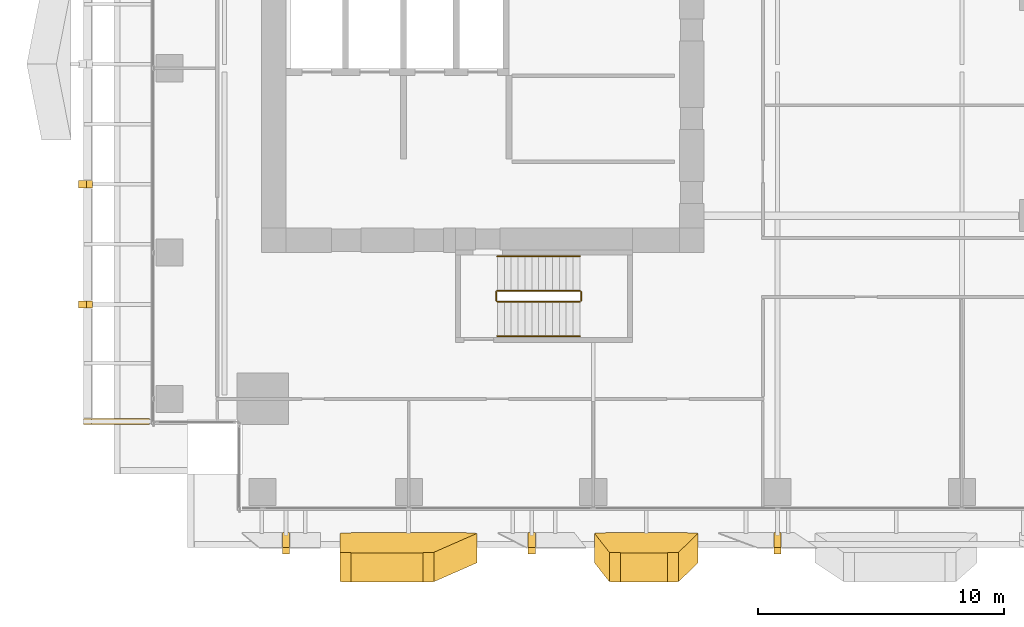
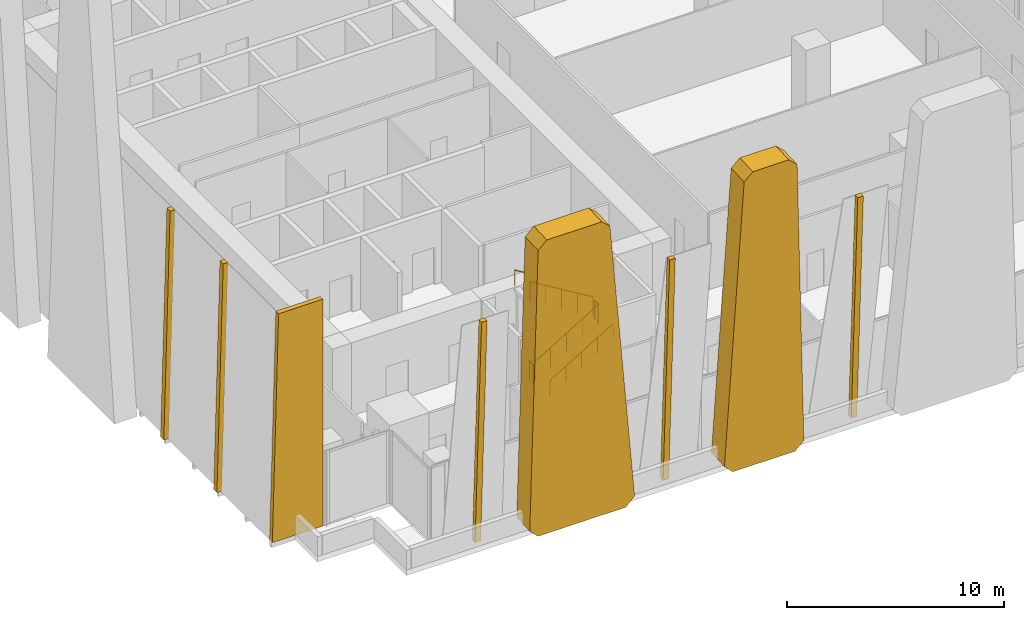
# One storey, part 33 of 37: 8 coverings, 6 railings.
"""IFC4 building model written with IfcOpenShell, lengths in metres."""

from ifc_helpers import new_model, si_unit, direction, frame, origin, origin_2d, place, context, subcontext, project, spatial, polyline, circle, outline, extrude, source, transform, mapped, material, layer, layer_set, type_object, element, save


model = new_model("IFC4")

# Units and contexts
model_context = context("Model", 3, precision=1e-05, world=origin(), true_north=direction((0.0, 1.0)))
body_context = subcontext(model_context, "Body", "Model", "MODEL_VIEW")
ifc_project = project(units=[si_unit("LENGTHUNIT", "METRE"), si_unit("AREAUNIT", "SQUARE_METRE"), si_unit("VOLUMEUNIT", "CUBIC_METRE"), si_unit("PLANEANGLEUNIT", "RADIAN"), si_unit("MASSUNIT", "GRAM", prefix="KILO")], contexts=[model_context])

# Site, building, storey
site_placement = place(None, origin())
site = spatial("IfcSite", under=ifc_project, at=site_placement, CompositionType="ELEMENT")
building_placement = place(site_placement, origin())
building = spatial("IfcBuilding", under=site, at=building_placement, Name="Khomas Fold Tower", CompositionType="ELEMENT")
storey_placement = place(building_placement, frame((0.0, 0.0, 101.5)))
storey = spatial("IfcBuildingStorey", under=building, at=storey_placement, Name="L21", CompositionType="ELEMENT", Elevation=101.5)

# Coverings
ifc_material_1 = material(Name="Natural stone cladding", Category="masonry")
ifc_layer_1 = layer(ifc_material_1, 0.25)
ifc_layer_set_1 = layer_set([ifc_layer_1], Name="Natural stone cladding")
covering_type_1 = type_object("IfcCoveringType", Name="SK-Karibib marble stone mullion", PredefinedType="CLADDING", material=ifc_layer_set_1)
for number, where, z_axis, x_axis, name in (
    (1, (6.85009765625, 0.60009765625, 0.0), (0.0, 0.998875266546, 0.047415207295), (0.0, -0.047415207295, 0.998875266546), "OUTER SKIN mullion L21 SM099-2"),
    (2, (16.85009765625, 0.60009765625, 0.0), (0.0, 0.998875266546, 0.047415207295), (0.0, -0.047415207295, 0.998875266546), "OUTER SKIN mullion L21 SM101-5"),
    (3, (26.85009765625, 0.60009765625, 0.0), (0.0, 0.998875266546, 0.047415207295), (0.0, -0.047415207295, 0.998875266546), "OUTER SKIN mullion L21 SM103-8"),
):
    element("IfcCovering", number, at=place(storey_placement, frame(where, z_axis=z_axis, x_axis=x_axis)), inside=storey, type_object=covering_type_1, Name=name, PredefinedType="CLADDING", context=body_context, shape_type="SweptSolid", body=[
        extrude(outline(polyline([(0.0, 0.0), (12.764356498773964, 0.0), (12.764356498773964, 0.2998046875), (0.0, 0.2998046875), (0.0, 0.0)])), origin(), (0.0, 0.0, -1.0), 0.25),
    ])
for number, where, z_axis, x_axis, name in (
    (4, (-1.449951171875, 9.73876953125, 0.006591796875), (-0.9996570913, 0.0, 0.026185870498), (0.0, 1.0, 0.0), "OUTER SKIN mullion L21 W2"),
    (5, (-1.449951171875, 14.627685546875, 0.006591796875), (-0.9996570913, 0.0, 0.026185870498), (0.0, 1.0, 0.0), "OUTER SKIN mullion L21 W4"),
):
    element("IfcCovering", number, at=place(storey_placement, frame(where, z_axis=z_axis, x_axis=x_axis)), inside=storey, type_object=covering_type_1, Name=name, PredefinedType="CLADDING", context=body_context, shape_type="SweptSolid", body=[
        extrude(outline(polyline([(0.0, 0.0), (0.300048828125, 0.0), (0.300048828125, -12.754373585666375), (0.0, -12.754373585666375), (0.0, 0.0)])), origin(), (0.0, 0.0, -1.0), 0.25),
    ])
covering_1_placement = place(storey_placement, frame((1.449951171875, 5.0, 12.75), z_axis=(0.0, -1.0, 0.0), x_axis=(-1.0, 0.0, 0.0)))
element("IfcCovering", 6, at=covering_1_placement, inside=storey, type_object=covering_type_1, Name="OUTER SKIN return L21 W1", PredefinedType="CLADDING", context=body_context, shape_type="SweptSolid", body=[
    extrude(outline(polyline([(0.0, 0.0), (2.356201171875, 0.0), (2.68994140625, 12.75), (0.0, 12.75), (0.0, 0.0)])), origin(), (0.0, 0.0, -1.0), 0.25),
])
ifc_material_2 = material(Name="Natural stone cladding", Category="masonry")
ifc_layer_2 = layer(ifc_material_2, 1.199951171875)
ifc_layer_set_2 = layer_set([ifc_layer_2], Name="Natural stone cladding")
covering_type_2 = type_object("IfcCoveringType", Name="SK-Karibib marble stone panel", PredefinedType="CLADDING", material=ifc_layer_set_2)
covering_2_placement = place(storey_placement, frame((13.017333984375, -0.195068359375, 16.748291015625), z_axis=(5.064789e-06, 0.998874923051, 0.04742244273), x_axis=(0.107352346591, 0.047147847161, -0.993102489268)))
element("IfcCovering", 7, at=covering_2_placement, inside=storey, type_object=covering_type_2, Name="OUTER SKIN leaf L21 SS03-1", PredefinedType="CLADDING", context=body_context, shape_type="SweptSolid", body=[
    extrude(outline(polyline([(0.0, 0.0), (16.36286352939501, -4.440892098500626e-16), (16.810792892302583, 0.49847671161408824), (16.30875817576406, 5.147964991636189), (15.81259429074531, 5.546957568216079), (-0.3616834765486042, 3.8005182916029634), (-0.7612407332634643, 3.304809025313552), (-0.44775405905217264, 0.4015185362848724), (0.0, 0.0)])), origin(), (0.0, 0.0, -1.0), 1.199951171875),
])
covering_3_placement = place(storey_placement, frame((22.97119140625, -0.19384765625, 16.72216796875), z_axis=(-3.018357e-06, 0.998874862182, 0.047423724998), x_axis=(0.049178831539, 0.047366490051, -0.997666205777)))
element("IfcCovering", 8, at=covering_3_placement, inside=storey, type_object=covering_type_2, Name="OUTER SKIN leaf L21 SS06-2", PredefinedType="CLADDING", context=body_context, shape_type="SweptSolid", body=[
    extrude(outline(polyline([(0.0, 0.0), (16.288011843586943, -1.1102230246251565e-16), (16.738037705450594, 0.4721659624533133), (16.574556511545804, 3.792362371852967), (16.08568064637631, 4.2185427422993484), (-0.13322149156169252, 2.814969700840447), (-0.5441714980356435, 2.3444833347041523), (-0.4498000097797932, 0.42785996676340055), (0.0, 0.0)])), origin(), (0.0, 0.0, -1.0), 1.199951171875),
])

# Railings
ifc_material_3 = material(Name="Steel balustrade", Category="steel")
railing_type_1 = type_object("IfcRailingType", Name="Stair guard", PredefinedType="GUARDRAIL", material=ifc_material_3)
shared_shape_1 = source(origin(), body_context, "Body", "SweptSolid", [
    extrude(circle(Radius=0.02392578125, at=origin_2d()), frame((0.0, 0.0, 1.076171875), z_axis=(0.0, 1.0, 0.0), x_axis=(-1.0, 0.0, 0.0)), (0.0, 0.0, 1.0), 0.349853515625),
    extrude(circle(Radius=0.02099609375, at=origin_2d()), origin(), (0.0, 0.0, 1.0), 1.052001953125),
    extrude(circle(Radius=0.02099609375, at=origin_2d()), frame((0.0, 0.349853515625, 0.0)), (0.0, 0.0, 1.0), 1.052001953125),
])
for number, where, name in (
    (9, (19.010009765625, 10.050048828125, 2.199951171875), "L21 ST2 stair guard 2"),
    (10, (15.550048828125, 10.050048828125, 0.0), "L21 ST2 stair guard 4"),
):
    element("IfcRailing", number, at=place(storey_placement, frame(where)), inside=storey, type_object=railing_type_1, Name=name, PredefinedType="GUARDRAIL", context=body_context, shape_type="MappedRepresentation", body=[
        mapped(shared_shape_1, transform((0.0, 0.0, 0.0))),
    ])
shared_shape_2 = source(origin(), body_context, "Body", "SweptSolid", [
    extrude(circle(Radius=0.02392578125, at=origin_2d()), frame((0.0, 0.0, 1.076171875), z_axis=(0.855820338506, 0.0, 0.51727318527), x_axis=(0.0, 1.0, 0.0)), (0.0, 0.0, 1.0), 3.92578125),
    extrude(circle(Radius=0.02099609375, at=origin_2d()), origin(), (0.0, 0.0, 1.0), 1.052001953125),
    extrude(circle(Radius=0.02099609375, at=origin_2d()), frame((0.83984375, 0.0, 0.5078125)), (0.0, 0.0, 1.0), 1.052001953125),
    extrude(circle(Radius=0.02099609375, at=origin_2d()), frame((1.679931640625, 0.0, 1.015380859375)), (0.0, 0.0, 1.0), 1.052001953125),
    extrude(circle(Radius=0.02099609375, at=origin_2d()), frame((2.52001953125, 0.0, 1.52294921875)), (0.0, 0.0, 1.0), 1.052001953125),
    extrude(circle(Radius=0.02099609375, at=origin_2d()), frame((3.35986328125, 0.0, 2.03076171875)), (0.0, 0.0, 1.0), 1.052001953125),
])
railing_1_placement = place(storey_placement, frame((15.60009765625, 10.0, 0.169189453125)))
element("IfcRailing", 11, at=railing_1_placement, inside=storey, type_object=railing_type_1, Name="L21 ST2 stair guard 1", PredefinedType="GUARDRAIL", context=body_context, shape_type="MappedRepresentation", body=[
    mapped(shared_shape_2, transform((0.0, 0.0, 0.0))),
])
shared_shape_3 = source(origin(), body_context, "Body", "SweptSolid", [
    extrude(circle(Radius=0.02392578125, at=origin_2d()), frame((0.0, 0.0, 1.076171875), z_axis=(-0.855820338506, 0.0, 0.51727318527), x_axis=(0.0, -1.0, 0.0)), (0.0, 0.0, 1.0), 3.92578125),
    extrude(circle(Radius=0.02099609375, at=origin_2d()), origin(), (0.0, 0.0, 1.0), 1.052001953125),
    extrude(circle(Radius=0.02099609375, at=origin_2d()), frame((-0.83984375, 0.0, 0.5078125)), (0.0, 0.0, 1.0), 1.052001953125),
    extrude(circle(Radius=0.02099609375, at=origin_2d()), frame((-1.679931640625, 0.0, 1.015380859375)), (0.0, 0.0, 1.0), 1.052001953125),
    extrude(circle(Radius=0.02099609375, at=origin_2d()), frame((-2.52001953125, 0.0, 1.52294921875)), (0.0, 0.0, 1.0), 1.052001953125),
    extrude(circle(Radius=0.02099609375, at=origin_2d()), frame((-3.35986328125, 0.0, 2.03076171875)), (0.0, 0.0, 1.0), 1.052001953125),
])
railing_2_placement = place(storey_placement, frame((18.9599609375, 10.449951171875, 2.369140625)))
element("IfcRailing", 12, at=railing_2_placement, inside=storey, type_object=railing_type_1, Name="L21 ST2 stair guard 3", PredefinedType="GUARDRAIL", context=body_context, shape_type="MappedRepresentation", body=[
    mapped(shared_shape_3, transform((0.0, 0.0, 0.0))),
])
ifc_material_4 = material(Name="Steel handrail", Category="steel")
railing_type_2 = type_object("IfcRailingType", Name="Stair handrail", PredefinedType="HANDRAIL", material=ifc_material_4)
shared_shape_4 = source(origin(), body_context, "Body", "SweptSolid", [
    extrude(circle(Radius=0.02392578125, at=origin_2d()), frame((0.0, 0.0, 0.8759765625), z_axis=(0.855820338506, 0.0, 0.51727318527), x_axis=(0.0, 1.0, 0.0)), (0.0, 0.0, 1.0), 3.92578125),
    extrude(circle(Radius=0.02099609375, at=origin_2d()), origin(), (0.0, 0.0, 1.0), 0.851806640625),
    extrude(circle(Radius=0.02099609375, at=origin_2d()), frame((0.83984375, 0.0, 0.5078125)), (0.0, 0.0, 1.0), 0.851806640625),
    extrude(circle(Radius=0.02099609375, at=origin_2d()), frame((1.679931640625, 0.0, 1.015380859375)), (0.0, 0.0, 1.0), 0.851806640625),
    extrude(circle(Radius=0.02099609375, at=origin_2d()), frame((2.52001953125, 0.0, 1.52294921875)), (0.0, 0.0, 1.0), 0.851806640625),
    extrude(circle(Radius=0.02099609375, at=origin_2d()), frame((3.35986328125, 0.0, 2.03076171875)), (0.0, 0.0, 1.0), 0.851806640625),
])
railing_3_placement = place(storey_placement, frame((15.60009765625, 8.60009765625, 0.169189453125)))
element("IfcRailing", 13, at=railing_3_placement, inside=storey, type_object=railing_type_2, Name="L21 ST2 stair handrail 1", PredefinedType="HANDRAIL", context=body_context, shape_type="MappedRepresentation", body=[
    mapped(shared_shape_4, transform((0.0, 0.0, 0.0))),
])
shared_shape_5 = source(origin(), body_context, "Body", "SweptSolid", [
    extrude(circle(Radius=0.02392578125, at=origin_2d()), frame((0.0, 0.0, 0.8759765625), z_axis=(-0.855820338506, 0.0, 0.51727318527), x_axis=(0.0, -1.0, 0.0)), (0.0, 0.0, 1.0), 3.92578125),
    extrude(circle(Radius=0.02099609375, at=origin_2d()), origin(), (0.0, 0.0, 1.0), 0.851806640625),
    extrude(circle(Radius=0.02099609375, at=origin_2d()), frame((-0.83984375, 0.0, 0.5078125)), (0.0, 0.0, 1.0), 0.851806640625),
    extrude(circle(Radius=0.02099609375, at=origin_2d()), frame((-1.679931640625, 0.0, 1.015380859375)), (0.0, 0.0, 1.0), 0.851806640625),
    extrude(circle(Radius=0.02099609375, at=origin_2d()), frame((-2.52001953125, 0.0, 1.52294921875)), (0.0, 0.0, 1.0), 0.851806640625),
    extrude(circle(Radius=0.02099609375, at=origin_2d()), frame((-3.35986328125, 0.0, 2.03076171875)), (0.0, 0.0, 1.0), 0.851806640625),
])
railing_4_placement = place(storey_placement, frame((18.9599609375, 11.85009765625, 2.369140625)))
element("IfcRailing", 14, at=railing_4_placement, inside=storey, type_object=railing_type_2, Name="L21 ST2 stair handrail 2", PredefinedType="HANDRAIL", context=body_context, shape_type="MappedRepresentation", body=[
    mapped(shared_shape_5, transform((0.0, 0.0, 0.0))),
])

save(model, "model.ifc")
